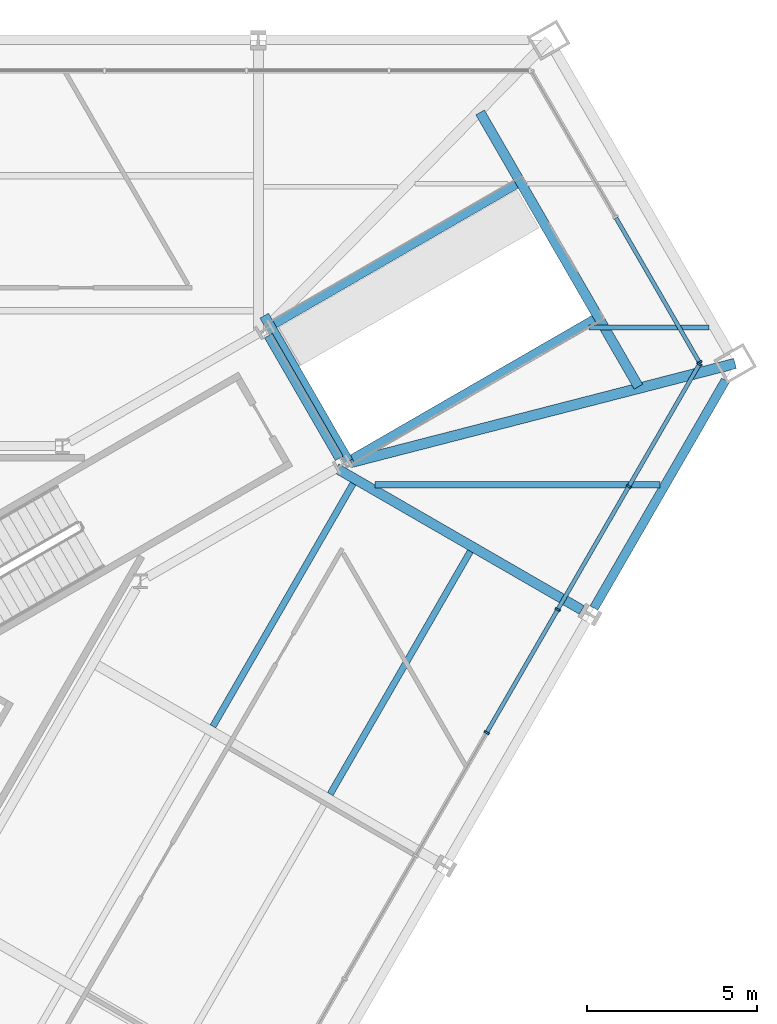
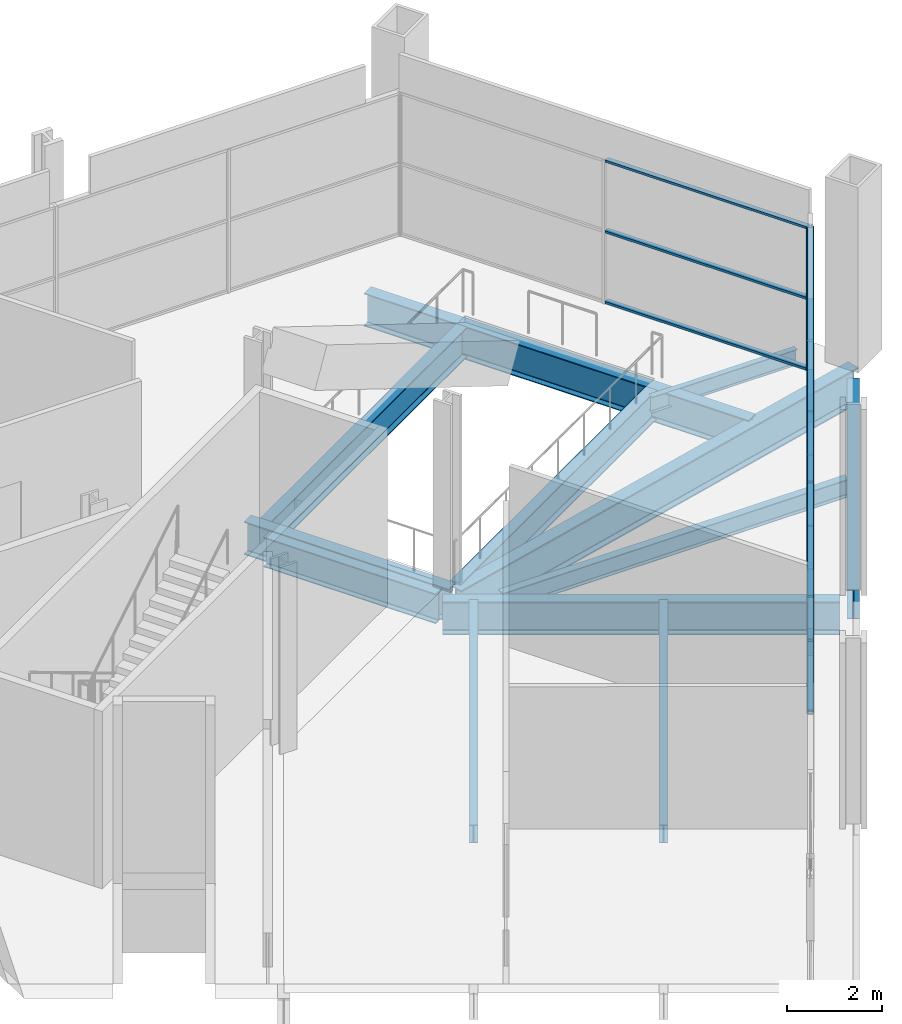
# One storey, part 9 of 18: 17 members, 12 beams, 2 elements without a shape of their own.
"""IFC4 building model written with IfcOpenShell, lengths in metres."""

from ifc_helpers import new_model, si_unit, direction, frame, origin, origin_2d, place, context, subcontext, project, spatial, rectangle, i_section, extrude, material, layer, layer_set, material_profile, profile_set, type_object, element, aggregate, save


model = new_model("IFC4")

# Units and contexts
model_context = context("Model", 3, precision=1e-05, world=origin(), true_north=direction((0.0, 1.0)))
body_context = subcontext(model_context, "Body", "Model", "MODEL_VIEW")
ifc_project = project(units=[si_unit("LENGTHUNIT", "METRE"), si_unit("AREAUNIT", "SQUARE_METRE"), si_unit("VOLUMEUNIT", "CUBIC_METRE"), si_unit("PLANEANGLEUNIT", "RADIAN"), si_unit("MASSUNIT", "GRAM", prefix="KILO")], contexts=[model_context])

# Site, building, storey
site_placement = place(None, origin())
site = spatial("IfcSite", under=ifc_project, at=site_placement, CompositionType="ELEMENT")
building_placement = place(site_placement, origin())
building = spatial("IfcBuilding", under=site, at=building_placement, Name="Verrane Prism Tower", CompositionType="ELEMENT")
storey_placement = place(building_placement, frame((0.0, 0.0, 27.199951171875)))
storey = spatial("IfcBuildingStorey", under=building, at=storey_placement, Name="L04", CompositionType="ELEMENT", Elevation=27.199951171875)

# Curtain wall, member
ifc_material_1 = material(Name="Aluminium and glass curtain wall", Category="aluminium")
ifc_layer = layer(ifc_material_1, 0.199951171875)
ifc_layer_set = layer_set([ifc_layer], Name="CWB-1 retail curtain wall")
curtain_wall_type = type_object("IfcCurtainWallType", Name="CWB-1 retail curtain wall", PredefinedType="NOTDEFINED", material=ifc_layer_set)
curtain_wall_1_placement = place(storey_placement, origin())
curtain_wall_1 = element("IfcCurtainWall", 1, at=curtain_wall_1_placement, inside=storey, type_object=curtain_wall_type, Name="Retail curtain wall L04 1", PredefinedType="NOTDEFINED")
ifc_material_2 = material(Name="Aluminium", Category="aluminium")
ifc_material_profile_1 = material_profile(ifc_material_2, rectangle(XDim=0.159912109375, YDim=0.06005859375, at=origin_2d()), Name="CWB-M 60x160 mullion")
ifc_profile_set_1 = profile_set([ifc_material_profile_1], Name="Aluminium")
member_type_1 = type_object("IfcMemberType", Name="CWB-M 60x160 mullion", PredefinedType="MULLION", material=ifc_profile_set_1)
member_1_placement = place(storey_placement, frame((30.11328125, 11.669677734375, 0.0), z_axis=(0.0, 0.0, 1.0), x_axis=(-0.866025871, -0.499999190758, 0.0)))
member_1 = element("IfcMember", 2, at=member_1_placement, type_object=member_type_1, Name="CWB41 mullion 1", PredefinedType="MULLION", context=body_context, shape_type="SweptSolid", body=[
    extrude(rectangle(XDim=0.159912109375, YDim=0.06005859375, at=origin_2d()), origin(), (0.0, 0.0, 1.0), 3.68994140625),
])

# Curtain wall, members
curtain_wall_2_placement = place(storey_placement, origin())
curtain_wall_2 = element("IfcCurtainWall", 3, at=curtain_wall_2_placement, inside=storey, type_object=curtain_wall_type, Name="Retail curtain wall L04 6", PredefinedType="NOTDEFINED")
member_2_placement = place(storey_placement, frame((23.84130859375, 0.75439453125, 0.0), z_axis=(0.0, 0.0, 1.0), x_axis=(-0.866025335097, 0.50000011897, 0.0)))
member_2 = element("IfcMember", 4, at=member_2_placement, type_object=member_type_1, Name="CWB46 mullion 10", PredefinedType="MULLION", context=body_context, shape_type="SweptSolid", body=[
    extrude(rectangle(XDim=0.159912109375, YDim=0.06005859375, at=origin_2d()), origin(), (0.0, 0.0, 1.0), 3.68994140625),
])
member_3_placement = place(storey_placement, frame((25.93701171875, 4.384033203125, 0.0), z_axis=(0.0, 0.0, 1.0), x_axis=(-0.866025335097, 0.50000011897, 0.0)))
member_3 = element("IfcMember", 5, at=member_3_placement, type_object=member_type_1, Name="CWB46 mullion 11", PredefinedType="MULLION", context=body_context, shape_type="SweptSolid", body=[
    extrude(rectangle(XDim=0.159912109375, YDim=0.06005859375, at=origin_2d()), origin(), (0.0, 0.0, 1.0), 3.68994140625),
])
member_4_placement = place(storey_placement, frame((28.03271484375, 8.013916015625, 0.0), z_axis=(0.0, 0.0, 1.0), x_axis=(-0.866025335097, 0.50000011897, 0.0)))
member_4 = element("IfcMember", 6, at=member_4_placement, type_object=member_type_1, Name="CWB46 mullion 12", PredefinedType="MULLION", context=body_context, shape_type="SweptSolid", body=[
    extrude(rectangle(XDim=0.159912109375, YDim=0.06005859375, at=origin_2d()), origin(), (0.0, 0.0, 1.0), 3.68994140625),
])
member_5_placement = place(storey_placement, frame((30.11328125, 11.61767578125, 0.0), z_axis=(0.0, 0.0, 1.0), x_axis=(-0.866025335097, 0.50000011897, 0.0)))
member_5 = element("IfcMember", 7, at=member_5_placement, type_object=member_type_1, Name="CWB46 mullion 13", PredefinedType="MULLION", context=body_context, shape_type="SweptSolid", body=[
    extrude(rectangle(XDim=0.159912109375, YDim=0.06005859375, at=origin_2d()), origin(), (0.0, 0.0, 1.0), 3.68994140625),
])

# Member
ifc_material_3 = material(Name="Aluminium", Category="aluminium")
ifc_material_profile_2 = material_profile(ifc_material_3, rectangle(XDim=0.1201171875, YDim=0.06005859375, at=origin_2d()), Name="CWB-T 60x120 transom")
ifc_profile_set_2 = profile_set([ifc_material_profile_2], Name="Aluminium")
member_type_2 = type_object("IfcMemberType", Name="CWB-T 60x120 transom", PredefinedType="USERDEFINED", material=ifc_profile_set_2)
member_6_placement = place(storey_placement, frame((30.098388671875, 11.695556640625, 0.030029296875), z_axis=(-0.500004774777, 0.866022647048, 0.0), x_axis=(-0.866022647048, -0.500004774777, 0.0)))
member_6 = element("IfcMember", 8, at=member_6_placement, type_object=member_type_2, Name="CWB41 transom 1.1", ObjectType="TRANSOM", PredefinedType="USERDEFINED", context=body_context, shape_type="SweptSolid", body=[
    extrude(rectangle(XDim=0.1201171875, YDim=0.06005859375, at=origin_2d()), origin(), (0.0, 0.0, 1.0), 4.890625),
])

member_7_placement = place(storey_placement, frame((30.098388671875, 11.695556640625, 1.844970703125), z_axis=(-0.500004774777, 0.866022647048, 0.0), x_axis=(-0.866022647048, -0.500004774777, 0.0)))
member_7 = element("IfcMember", 9, at=member_7_placement, type_object=member_type_2, Name="CWB41 transom 1.2", ObjectType="TRANSOM", PredefinedType="USERDEFINED", context=body_context, shape_type="SweptSolid", body=[
    extrude(rectangle(XDim=0.1201171875, YDim=0.06005859375, at=origin_2d()), origin(), (0.0, 0.0, 1.0), 4.890625),
])

member_8_placement = place(storey_placement, frame((30.098388671875, 11.695556640625, 3.66015625), z_axis=(-0.500004774777, 0.866022647048, 0.0), x_axis=(-0.866022647048, -0.500004774777, 0.0)))
member_8 = element("IfcMember", 10, at=member_8_placement, type_object=member_type_2, Name="CWB41 transom 1.3", ObjectType="TRANSOM", PredefinedType="USERDEFINED", context=body_context, shape_type="SweptSolid", body=[
    extrude(rectangle(XDim=0.1201171875, YDim=0.06005859375, at=origin_2d()), origin(), (0.0, 0.0, 1.0), 4.890625),
])

aggregate(curtain_wall_1, [member_1, member_6, member_7, member_8])

member_9_placement = place(storey_placement, frame((23.856201171875, 0.7802734375, 0.030029296875), z_axis=(0.499996977546, 0.866027148792, 0.0), x_axis=(-0.866027148792, 0.499996977546, 0.0)))
member_9 = element("IfcMember", 11, at=member_9_placement, type_object=member_type_2, Name="CWB46 transom 10.1", ObjectType="TRANSOM", PredefinedType="USERDEFINED", context=body_context, shape_type="SweptSolid", body=[
    extrude(rectangle(XDim=0.1201171875, YDim=0.06005859375, at=origin_2d()), origin(), (0.0, 0.0, 1.0), 4.13134765625),
])

member_10_placement = place(storey_placement, frame((23.856201171875, 0.7802734375, 1.844970703125), z_axis=(0.499996977546, 0.866027148792, 0.0), x_axis=(-0.866027148792, 0.499996977546, 0.0)))
member_10 = element("IfcMember", 12, at=member_10_placement, type_object=member_type_2, Name="CWB46 transom 10.2", ObjectType="TRANSOM", PredefinedType="USERDEFINED", context=body_context, shape_type="SweptSolid", body=[
    extrude(rectangle(XDim=0.1201171875, YDim=0.06005859375, at=origin_2d()), origin(), (0.0, 0.0, 1.0), 4.13134765625),
])

member_11_placement = place(storey_placement, frame((23.856201171875, 0.7802734375, 3.66015625), z_axis=(0.499996977546, 0.866027148792, 0.0), x_axis=(-0.866027148792, 0.499996977546, 0.0)))
member_11 = element("IfcMember", 13, at=member_11_placement, type_object=member_type_2, Name="CWB46 transom 10.3", ObjectType="TRANSOM", PredefinedType="USERDEFINED", context=body_context, shape_type="SweptSolid", body=[
    extrude(rectangle(XDim=0.1201171875, YDim=0.06005859375, at=origin_2d()), origin(), (0.0, 0.0, 1.0), 4.13134765625),
])

member_12_placement = place(storey_placement, frame((25.951904296875, 4.41015625, 0.030029296875), z_axis=(0.499996977546, 0.866027148792, 0.0), x_axis=(-0.866027148792, 0.499996977546, 0.0)))
member_12 = element("IfcMember", 14, at=member_12_placement, type_object=member_type_2, Name="CWB46 transom 11.1", ObjectType="TRANSOM", PredefinedType="USERDEFINED", context=body_context, shape_type="SweptSolid", body=[
    extrude(rectangle(XDim=0.1201171875, YDim=0.06005859375, at=origin_2d()), origin(), (0.0, 0.0, 1.0), 4.13134765625),
])

member_13_placement = place(storey_placement, frame((25.951904296875, 4.41015625, 1.844970703125), z_axis=(0.499996977546, 0.866027148792, 0.0), x_axis=(-0.866027148792, 0.499996977546, 0.0)))
member_13 = element("IfcMember", 15, at=member_13_placement, type_object=member_type_2, Name="CWB46 transom 11.2", ObjectType="TRANSOM", PredefinedType="USERDEFINED", context=body_context, shape_type="SweptSolid", body=[
    extrude(rectangle(XDim=0.1201171875, YDim=0.06005859375, at=origin_2d()), origin(), (0.0, 0.0, 1.0), 4.13134765625),
])

member_14_placement = place(storey_placement, frame((25.951904296875, 4.41015625, 3.66015625), z_axis=(0.499996977546, 0.866027148792, 0.0), x_axis=(-0.866027148792, 0.499996977546, 0.0)))
member_14 = element("IfcMember", 16, at=member_14_placement, type_object=member_type_2, Name="CWB46 transom 11.3", ObjectType="TRANSOM", PredefinedType="USERDEFINED", context=body_context, shape_type="SweptSolid", body=[
    extrude(rectangle(XDim=0.1201171875, YDim=0.06005859375, at=origin_2d()), origin(), (0.0, 0.0, 1.0), 4.13134765625),
])

member_15_placement = place(storey_placement, frame((28.047607421875, 8.039794921875, 0.030029296875), z_axis=(0.500005845305, 0.86602202897, 0.0), x_axis=(-0.86602202897, 0.500005845305, 0.0)))
member_15 = element("IfcMember", 17, at=member_15_placement, type_object=member_type_2, Name="CWB46 transom 12.1", ObjectType="TRANSOM", PredefinedType="USERDEFINED", context=body_context, shape_type="SweptSolid", body=[
    extrude(rectangle(XDim=0.1201171875, YDim=0.06005859375, at=origin_2d()), origin(), (0.0, 0.0, 1.0), 4.1015625),
])

member_16_placement = place(storey_placement, frame((28.047607421875, 8.039794921875, 1.844970703125), z_axis=(0.500005845305, 0.86602202897, 0.0), x_axis=(-0.86602202897, 0.500005845305, 0.0)))
member_16 = element("IfcMember", 18, at=member_16_placement, type_object=member_type_2, Name="CWB46 transom 12.2", ObjectType="TRANSOM", PredefinedType="USERDEFINED", context=body_context, shape_type="SweptSolid", body=[
    extrude(rectangle(XDim=0.1201171875, YDim=0.06005859375, at=origin_2d()), origin(), (0.0, 0.0, 1.0), 4.1015625),
])

member_17_placement = place(storey_placement, frame((28.047607421875, 8.039794921875, 3.66015625), z_axis=(0.500005845305, 0.86602202897, 0.0), x_axis=(-0.86602202897, 0.500005845305, 0.0)))
member_17 = element("IfcMember", 19, at=member_17_placement, type_object=member_type_2, Name="CWB46 transom 12.3", ObjectType="TRANSOM", PredefinedType="USERDEFINED", context=body_context, shape_type="SweptSolid", body=[
    extrude(rectangle(XDim=0.1201171875, YDim=0.06005859375, at=origin_2d()), origin(), (0.0, 0.0, 1.0), 4.1015625),
])

aggregate(curtain_wall_2, [member_2, member_3, member_4, member_5, member_9, member_10, member_11, member_12, member_13, member_14, member_15, member_16, member_17])

# Beams
ifc_material_4 = material(Name="Steel A992", Category="steel")
ifc_material_profile_3 = material_profile(ifc_material_4, i_section(OverallWidth=0.2666015625, OverallDepth=0.76708984375, WebThickness=0.014892578125, FlangeThickness=0.023681640625, FilletRadius=0.0166015625, at=origin_2d()), Name="W30x124")
ifc_profile_set_3 = profile_set([ifc_material_profile_3], Name="Steel A992")
beam_type_1 = type_object("IfcBeamType", Name="Core ring girder W30x124", PredefinedType="BEAM", material=ifc_profile_set_3)
beam_1_placement = place(storey_placement, frame((19.493896484375, 8.843505859375, -0.633544921875), z_axis=(-0.500367275473, 0.865813253326, 0.0), x_axis=(-0.865813253326, -0.500367275473, 0.0)))
element("IfcBeam", 20, at=beam_1_placement, inside=storey, type_object=beam_type_1, Name="Core ring girder L04", PredefinedType="BEAM", context=body_context, shape_type="SweptSolid", body=[
    extrude(i_section(OverallWidth=0.2666015625, OverallDepth=0.76708984375, WebThickness=0.014892578125, FlangeThickness=0.023681640625, FilletRadius=0.0166015625, at=origin_2d()), origin(), (0.0, 0.0, 1.0), 4.172607421875),
])
ifc_material_5 = material(Name="Steel A992", Category="steel")
ifc_material_profile_4 = material_profile(ifc_material_5, i_section(OverallWidth=0.307373046875, OverallDepth=0.927001953125, WebThickness=0.01953125, FlangeThickness=0.031982421875, FilletRadius=0.01904296875, at=origin_2d()), Name="W36x194")
ifc_profile_set_4 = profile_set([ifc_material_profile_4], Name="Steel A992")
beam_type_2 = type_object("IfcBeamType", Name="Corner girder W36x194", PredefinedType="BEAM", material=ifc_profile_set_4)
beam_2_placement = place(storey_placement, frame((31.16455078125, 11.638671875, -0.68359375), z_axis=(-0.968392733058, -0.249430380188, 0.0), x_axis=(0.249430380188, -0.968392733058, 0.0)))
element("IfcBeam", 21, at=beam_2_placement, inside=storey, type_object=beam_type_2, Name="Corner girder L04", PredefinedType="BEAM", context=body_context, shape_type="SweptSolid", body=[
    extrude(i_section(OverallWidth=0.307373046875, OverallDepth=0.927001953125, WebThickness=0.01953125, FlangeThickness=0.031982421875, FilletRadius=0.01904296875, at=origin_2d()), origin(), (0.0, 0.0, 1.0), 11.695556640625),
])
ifc_material_6 = material(Name="Steel A992", Category="steel")
ifc_material_profile_5 = material_profile(ifc_material_6, i_section(OverallWidth=0.140380859375, OverallDepth=0.40380859375, WebThickness=0.007080078125, FlangeThickness=0.01123046875, FilletRadius=0.01025390625, at=origin_2d()), Name="W16x31")
ifc_profile_set_5 = profile_set([ifc_material_profile_5], Name="Steel A992")
beam_type_3 = type_object("IfcBeamType", Name="Floor beam W16x31", PredefinedType="BEAM", material=ifc_profile_set_5)
beam_3_placement = place(storey_placement, frame((26.860595703125, 12.699951171875, -0.36181640625), z_axis=(1.0, 0.0, 0.0), x_axis=(0.0, 1.0, 0.0)))
element("IfcBeam", 22, at=beam_3_placement, inside=storey, type_object=beam_type_3, Name="Floor beam L04", PredefinedType="BEAM", context=body_context, shape_type="SweptSolid", body=[
    extrude(i_section(OverallWidth=0.140380859375, OverallDepth=0.40380859375, WebThickness=0.007080078125, FlangeThickness=0.01123046875, FilletRadius=0.01025390625, at=origin_2d()), origin(), (0.0, 0.0, 1.0), 3.529052734375),
])
ifc_material_7 = material(Name="Steel A992", Category="steel")
ifc_material_profile_6 = material_profile(ifc_material_7, i_section(OverallWidth=0.1904296875, OverallDepth=0.457275390625, WebThickness=0.009033203125, FlangeThickness=0.014404296875, FilletRadius=0.01025390625, at=origin_2d()), Name="W18x50")
ifc_profile_set_6 = profile_set([ifc_material_profile_6], Name="Steel A992")
beam_type_4 = type_object("IfcBeamType", Name="Floor beam W18x50", PredefinedType="BEAM", material=ifc_profile_set_6)
beam_4_placement = place(storey_placement, frame((19.226806640625, -1.05712890625, -0.388671875), z_axis=(0.500005423512, 0.866022272496, 0.0), x_axis=(-0.866022272496, 0.500005423512, 0.0)))
element("IfcBeam", 23, at=beam_4_placement, inside=storey, type_object=beam_type_4, Name="Floor beam L04", PredefinedType="BEAM", context=body_context, shape_type="SweptSolid", body=[
    extrude(i_section(OverallWidth=0.1904296875, OverallDepth=0.457275390625, WebThickness=0.009033203125, FlangeThickness=0.014404296875, FilletRadius=0.01025390625, at=origin_2d()), origin(), (0.0, 0.0, 1.0), 8.26513671875),
])
beam_5_placement = place(storey_placement, frame((15.769287109375, 0.93994140625, -0.388671875), z_axis=(0.500018214608, 0.86601488732, 0.0), x_axis=(-0.86601488732, 0.500018214608, 0.0)))
element("IfcBeam", 24, at=beam_5_placement, inside=storey, type_object=beam_type_4, Name="Floor beam L04", PredefinedType="BEAM", context=body_context, shape_type="SweptSolid", body=[
    extrude(i_section(OverallWidth=0.1904296875, OverallDepth=0.457275390625, WebThickness=0.009033203125, FlangeThickness=0.014404296875, FilletRadius=0.01025390625, at=origin_2d()), origin(), (0.0, 0.0, 1.0), 8.264892578125),
])
beam_6_placement = place(storey_placement, frame((20.541748046875, 8.06494140625, -0.388671875), z_axis=(1.0, 0.0, 0.0), x_axis=(0.0, 1.0, 0.0)))
element("IfcBeam", 25, at=beam_6_placement, inside=storey, type_object=beam_type_4, Name="Floor beam L04", PredefinedType="BEAM", context=body_context, shape_type="SweptSolid", body=[
    extrude(i_section(OverallWidth=0.1904296875, OverallDepth=0.457275390625, WebThickness=0.009033203125, FlangeThickness=0.014404296875, FilletRadius=0.01025390625, at=origin_2d()), origin(), (0.0, 0.0, 1.0), 8.4091796875),
])
ifc_material_8 = material(Name="Steel A992", Category="steel")
ifc_material_profile_7 = material_profile(ifc_material_8, i_section(OverallWidth=0.2919921875, OverallDepth=0.845703125, WebThickness=0.015380859375, FlangeThickness=0.0244140625, FilletRadius=0.017822265625, at=origin_2d()), Name="W33x141")
ifc_profile_set_7 = profile_set([ifc_material_profile_7], Name="Steel A992")
beam_type_5 = type_object("IfcBeamType", Name="Radial girder W33x141", PredefinedType="BEAM", material=ifc_profile_set_7)
beam_7_placement = place(storey_placement, frame((26.6435546875, 4.372314453125, -0.642822265625), z_axis=(-0.866029865125, 0.499992272651, 0.0), x_axis=(-0.499992272651, -0.866029865125, 0.0)))
element("IfcBeam", 26, at=beam_7_placement, inside=storey, type_object=beam_type_5, Name="Radial girder L04", PredefinedType="BEAM", context=body_context, shape_type="SweptSolid", body=[
    extrude(i_section(OverallWidth=0.2919921875, OverallDepth=0.845703125, WebThickness=0.015380859375, FlangeThickness=0.0244140625, FilletRadius=0.017822265625, at=origin_2d()), origin(), (0.0, 0.0, 1.0), 8.354736328125),
])
ifc_material_9 = material(Name="Steel A992", Category="steel")
ifc_material_profile_8 = material_profile(ifc_material_9, i_section(OverallWidth=0.2666015625, OverallDepth=0.76708984375, WebThickness=0.014892578125, FlangeThickness=0.023681640625, FilletRadius=0.0166015625, at=origin_2d()), Name="W30x124")
ifc_profile_set_8 = profile_set([ifc_material_profile_8], Name="Steel A992")
beam_type_6 = type_object("IfcBeamType", Name="Slab edge girder W30x124", PredefinedType="BEAM", material=ifc_profile_set_8)
beam_8_placement = place(storey_placement, frame((19.882080078125, 8.822998046875, -0.54345703125), z_axis=(0.86602750728, 0.499996356621, 0.0), x_axis=(-0.499996356621, 0.86602750728, 0.0)))
element("IfcBeam", 27, at=beam_8_placement, inside=storey, type_object=beam_type_6, Name="Slab edge girder L04", PredefinedType="BEAM", context=body_context, shape_type="SweptSolid", body=[
    extrude(i_section(OverallWidth=0.2666015625, OverallDepth=0.76708984375, WebThickness=0.014892578125, FlangeThickness=0.023681640625, FilletRadius=0.0166015625, at=origin_2d()), origin(), (0.0, 0.0, 1.0), 8.22998046875),
])
beam_9_placement = place(storey_placement, frame((24.709716796875, 16.921875, -0.54345703125), z_axis=(-0.866034923029, -0.499983511822, 0.0), x_axis=(0.499983511822, -0.866034923029, 0.0)))
element("IfcBeam", 28, at=beam_9_placement, inside=storey, type_object=beam_type_6, Name="Slab edge girder L04", PredefinedType="BEAM", context=body_context, shape_type="SweptSolid", body=[
    extrude(i_section(OverallWidth=0.2666015625, OverallDepth=0.76708984375, WebThickness=0.014892578125, FlangeThickness=0.023681640625, FilletRadius=0.0166015625, at=origin_2d()), origin(), (0.0, 0.0, 1.0), 8.230224609375),
])
ifc_material_10 = material(Name="Steel A992", Category="steel")
ifc_material_profile_9 = material_profile(ifc_material_10, i_section(OverallWidth=0.2919921875, OverallDepth=0.845703125, WebThickness=0.015380859375, FlangeThickness=0.0244140625, FilletRadius=0.017822265625, at=origin_2d()), Name="W33x141")
ifc_profile_set_9 = profile_set([ifc_material_profile_9], Name="Steel A992")
beam_type_7 = type_object("IfcBeamType", Name="Slab edge girder W33x141", PredefinedType="BEAM", material=ifc_profile_set_9)
beam_10_placement = place(storey_placement, frame((28.31640625, 10.95458984375, -0.582763671875), z_axis=(-0.500003119808, 0.866023602555, 0.0), x_axis=(-0.866023602555, -0.500003119808, 0.0)))
element("IfcBeam", 29, at=beam_10_placement, inside=storey, type_object=beam_type_7, Name="Slab edge girder L04", PredefinedType="BEAM", context=body_context, shape_type="SweptSolid", body=[
    extrude(i_section(OverallWidth=0.2919921875, OverallDepth=0.845703125, WebThickness=0.015380859375, FlangeThickness=0.0244140625, FilletRadius=0.017822265625, at=origin_2d()), origin(), (0.0, 0.0, 1.0), 9.3369140625),
])
beam_11_placement = place(storey_placement, frame((17.281005859375, 13.048583984375, -0.582763671875), z_axis=(0.500002137087, -0.866024169933, 0.0), x_axis=(0.866024169933, 0.500002137087, 0.0)))
element("IfcBeam", 30, at=beam_11_placement, inside=storey, type_object=beam_type_7, Name="Slab edge girder L04", PredefinedType="BEAM", context=body_context, shape_type="SweptSolid", body=[
    extrude(i_section(OverallWidth=0.2919921875, OverallDepth=0.845703125, WebThickness=0.015380859375, FlangeThickness=0.0244140625, FilletRadius=0.017822265625, at=origin_2d()), origin(), (0.0, 0.0, 1.0), 4.9619140625),
])
ifc_material_11 = material(Name="Steel A992", Category="steel")
ifc_material_profile_10 = material_profile(ifc_material_11, i_section(OverallWidth=0.2666015625, OverallDepth=0.76708984375, WebThickness=0.014892578125, FlangeThickness=0.023681640625, FilletRadius=0.0166015625, at=origin_2d()), Name="W30x124")
ifc_profile_set_10 = profile_set([ifc_material_profile_10], Name="Steel A992")
beam_type_8 = type_object("IfcBeamType", Name="Spandrel beam W30x124", PredefinedType="SPANDREL", material=ifc_profile_set_10)
beam_12_placement = place(storey_placement, frame((27.003662109375, 4.427001953125, -0.54345703125), z_axis=(0.500179482495, 0.865921754716, 0.0), x_axis=(-0.865921754716, 0.500179482495, 0.0)))
element("IfcBeam", 31, at=beam_12_placement, inside=storey, type_object=beam_type_8, Name="Spandrel beam L04", PredefinedType="SPANDREL", context=body_context, shape_type="SweptSolid", body=[
    extrude(i_section(OverallWidth=0.2666015625, OverallDepth=0.76708984375, WebThickness=0.014892578125, FlangeThickness=0.023681640625, FilletRadius=0.0166015625, at=origin_2d()), origin(), (0.0, 0.0, 1.0), 7.752685546875),
])

save(model, "model.ifc")
